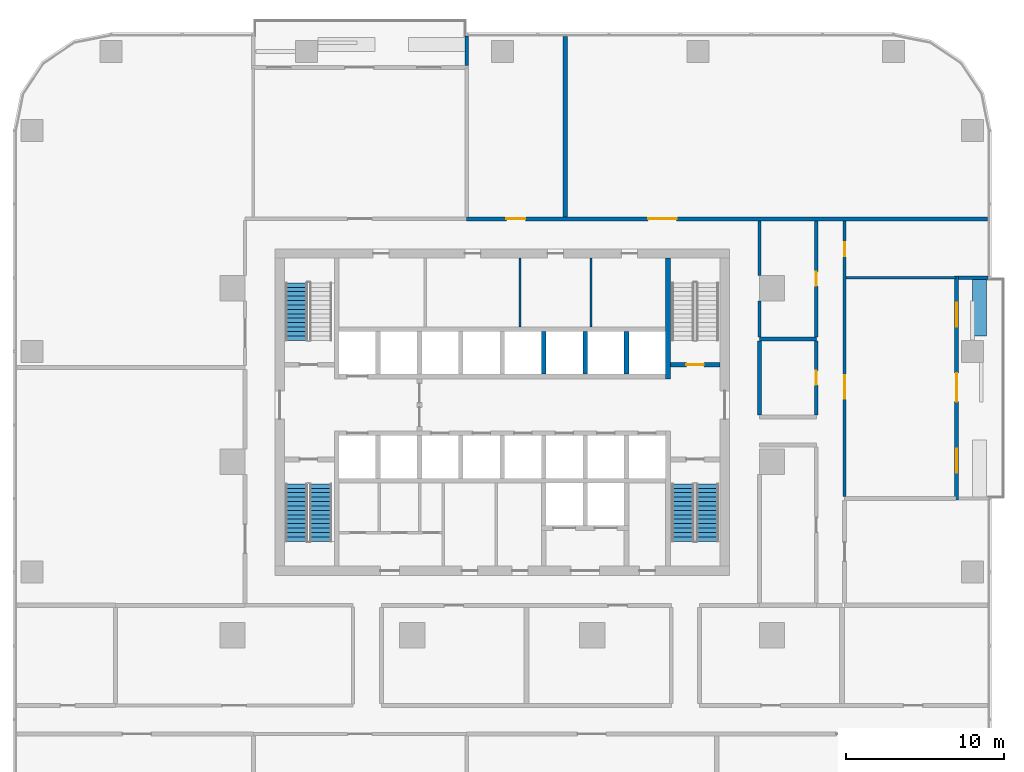
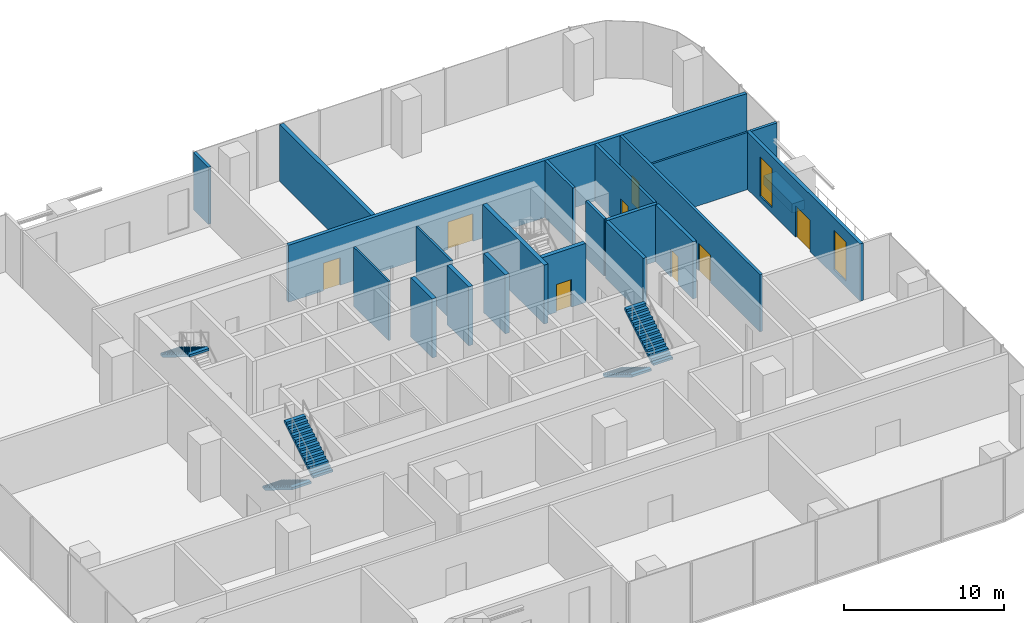
# One storey, part 10 of 15: 21 walls, 8 doors, 5 stair flights, 2 windows, 10 openings, 3 elements without a shape of their own.
"""IFC4 building model written with IfcOpenShell, lengths in metres."""

from ifc_helpers import new_model, si_unit, direction, frame, frame_2d, origin, place, context, subcontext, project, spatial, polyline, rectangle, outline, extrude, material, layer, layer_set, type_object, element, fill, aggregate, save


model = new_model("IFC4")

# Units and contexts
model_context = context("Model", 3, precision=1e-05, world=origin(), true_north=direction((0.0, 1.0)))
body_context = subcontext(model_context, "Body", "Model", "MODEL_VIEW")
ifc_project = project(units=[si_unit("LENGTHUNIT", "METRE"), si_unit("AREAUNIT", "SQUARE_METRE"), si_unit("VOLUMEUNIT", "CUBIC_METRE"), si_unit("PLANEANGLEUNIT", "RADIAN"), si_unit("MASSUNIT", "GRAM", prefix="KILO")], contexts=[model_context])

# Site, building, storey
site_placement = place(None, origin())
site = spatial("IfcSite", under=ifc_project, at=site_placement, CompositionType="ELEMENT")
building_placement = place(site_placement, origin())
building = spatial("IfcBuilding", under=site, at=building_placement, Name="Mopane Tessera Tower", CompositionType="ELEMENT")
storey_placement = place(building_placement, frame((0.0, 0.0, 79.0)))
storey = spatial("IfcBuildingStorey", under=building, at=storey_placement, Name="L15", CompositionType="ELEMENT", Elevation=79.0)

# Walls
ifc_material_1 = material(Name="Fire-rated gypsum board partition")
ifc_layer_1 = layer(ifc_material_1, 0.14990234375)
ifc_layer_set_1 = layer_set([ifc_layer_1], Name="Fire-rated gypsum board partition")
wall_type_1 = type_object("IfcWallType", Name="Core room partition 150 mm", PredefinedType="PARTITIONING", material=ifc_layer_set_1)
for number, where, z_axis, x_axis, name in (
    (1, (1.125, 8.550048828125, 0.0), (0.0, 0.0, 1.0), (0.0, 1.0, 0.0), "L15 Room partition"),
    (2, (5.625, 8.550048828125, 0.0), (0.0, 0.0, 1.0), (0.0, 1.0, 0.0), "L15 Room partition"),
):
    element("IfcWall", number, at=place(storey_placement, frame(where, z_axis=z_axis, x_axis=x_axis)), inside=storey, type_object=wall_type_1, Name=name, PredefinedType="PARTITIONING", context=body_context, shape_type="SweptSolid", body=[
        extrude(rectangle(XDim=4.349853515625, YDim=0.14990234375, at=frame_2d((2.1748046875, 0.0))), origin(), (0.0, 0.0, 1.0), 4.5),
    ])
ifc_material_2 = material(Name="Concrete C60/75", Category="concrete")
ifc_layer_2 = layer(ifc_material_2, 0.300048828125)
ifc_layer_set_2 = layer_set([ifc_layer_2], Name="Concrete C60/75")
wall_type_2 = type_object("IfcWallType", Name="Core spine wall 300 mm", PredefinedType="SHEAR", material=ifc_layer_set_2)
wall_1_placement = place(storey_placement, frame((10.5, 5.25, 0.0), z_axis=(0.0, 0.0, 1.0), x_axis=(0.0, 1.0, 0.0)))
element("IfcWall", 3, at=wall_1_placement, inside=storey, type_object=wall_type_2, Name="L15 Core spine wall", PredefinedType="SHEAR", context=body_context, shape_type="SweptSolid", body=[
    extrude(rectangle(XDim=7.64990234375, YDim=0.300048828125, at=frame_2d((3.824951171875, 0.0))), origin(), (0.0, 0.0, 1.0), 4.5),
])
ifc_material_3 = material(Name="Gypsum board on steel studs, two layers each face, mineral wool infill", Category="steel")
ifc_layer_3 = layer(ifc_material_3, 0.199951171875)
ifc_layer_set_3 = layer_set([ifc_layer_3], Name="Gypsum board on steel studs, two layers each face, mineral wool infill")
wall_type_3 = type_object("IfcWallType", Name="Gypsum board corridor wall 200, rated EI 60", PredefinedType="PARTITIONING", material=ifc_layer_set_3)
wall_2_placement = place(storey_placement, frame((16.300048828125, 7.909912109375, 0.0), z_axis=(0.0, 0.0, 1.0), x_axis=(0.0, 1.0, 0.0)))
element("IfcWall", 4, at=wall_2_placement, inside=storey, type_object=wall_type_3, Name="Partition L15:039", PredefinedType="PARTITIONING", context=body_context, shape_type="SweptSolid", body=[
    extrude(rectangle(XDim=2.2900390625, YDim=0.199951171875, at=frame_2d((1.14501953125, 0.0))), origin(), (0.0, 0.0, 1.0), 4.35009765625),
])
wall_3_placement = place(storey_placement, frame((16.300048828125, 11.800048828125, 0.0), z_axis=(0.0, 0.0, 1.0), x_axis=(0.0, 1.0, 0.0)))
element("IfcWall", 5, at=wall_3_placement, inside=storey, type_object=wall_type_3, Name="Partition L15:040", PredefinedType="PARTITIONING", context=body_context, shape_type="SweptSolid", body=[
    extrude(rectangle(XDim=3.474853515625, YDim=0.199951171875, at=frame_2d((1.7373046875, 0.0))), origin(), (0.0, 0.0, 1.0), 4.35009765625),
])

# Wall, opening, door
wall_4_placement = place(storey_placement, frame((19.89990234375, 7.909912109375, 0.0), z_axis=(0.0, 0.0, 1.0), x_axis=(0.0, 1.0, 0.0)))
wall_4 = element("IfcWall", 6, at=wall_4_placement, inside=storey, type_object=wall_type_3, Name="Partition L15:043", PredefinedType="PARTITIONING", context=body_context, shape_type="SweptSolid", body=[
    extrude(rectangle(XDim=7.364990234375, YDim=0.199951171875, at=frame_2d((3.6826171875, 0.0))), origin(), (0.0, 0.0, 1.0), 4.35009765625),
])
opening_1_placement = place(wall_4_placement, frame((3.232421875, 0.0, 0.0)))
opening_1 = element("IfcOpeningElement", 7, at=opening_1_placement, cuts=wall_4, Name="Opening L15-16", PredefinedType="OPENING", context=body_context, shape_type="SweptSolid", body=[
    extrude(rectangle(XDim=0.89990234375, YDim=2.10009765625, at=frame_2d((0.449951171875, 1.050048828125))), frame((0.0, 0.112060546875, 0.0), z_axis=(0.0, -1.0, 0.0), x_axis=(1.0, 0.0, 0.0)), (0.0, 0.0, 1.0), 0.223876953125),
])
ifc_material_4 = material(Name="Timber veneered steel-framed fire door", Category="steel")
door_type_1 = type_object("IfcDoorType", Name="Fire door FD60 900 x 2100", OperationType="SINGLE_SWING_LEFT", PredefinedType="DOOR", material=ifc_material_4)
door_1_placement = place(opening_1_placement, origin())
door_1 = element("IfcDoor", 8, at=door_1_placement, inside=storey, type_object=door_type_1, Name="Door L15-16", ObjectType="D10A", OperationType="SINGLE_SWING_LEFT", OverallHeight=2.10009765625, OverallWidth=0.89990234375, PredefinedType="DOOR", context=body_context, shape_type="SweptSolid", body=[
    extrude(rectangle(XDim=0.89990234375, YDim=2.10009765625, at=frame_2d((0.449951171875, 1.050048828125))), frame((0.0, 0.02490234375, 0.0), z_axis=(0.0, -1.0, 0.0), x_axis=(1.0, 0.0, 0.0)), (0.0, 0.0, 1.0), 0.050048828125),
])
fill(opening_1, door_1)

# Wall, openings, doors
wall_5_placement = place(storey_placement, frame((21.699951171875, -2.2099609375, 0.0), z_axis=(0.0, 0.0, 1.0), x_axis=(0.0, 1.0, 0.0)))
wall_5 = element("IfcWall", 9, at=wall_5_placement, inside=storey, type_object=wall_type_3, Name="Partition L15:047", PredefinedType="PARTITIONING", context=body_context, shape_type="SweptSolid", body=[
    extrude(rectangle(XDim=17.48486328125, YDim=0.199951171875, at=frame_2d((8.742431640625, 0.0))), origin(), (0.0, 0.0, 1.0), 4.35009765625),
])
opening_2_placement = place(wall_5_placement, frame((15.22998046875, 0.0, 0.0)))
opening_2 = element("IfcOpeningElement", 10, at=opening_2_placement, cuts=wall_5, Name="Opening L15-04", PredefinedType="OPENING", context=body_context, shape_type="SweptSolid", body=[
    extrude(rectangle(XDim=0.89990234375, YDim=2.10009765625, at=frame_2d((0.449951171875, 1.050048828125))), frame((0.0, 0.112060546875, 0.0), z_axis=(0.0, -1.0, 0.0), x_axis=(1.0, 0.0, 0.0)), (0.0, 0.0, 1.0), 0.223876953125),
])
opening_3_placement = place(wall_5_placement, frame((6.1875, 0.0, 0.0)))
opening_3 = element("IfcOpeningElement", 11, at=opening_3_placement, cuts=wall_5, Name="Opening L15-21", PredefinedType="OPENING", context=body_context, shape_type="SweptSolid", body=[
    extrude(rectangle(XDim=1.5, YDim=2.10009765625, at=frame_2d((0.75, 1.050048828125))), frame((0.0, 0.112060546875, 0.0), z_axis=(0.0, -1.0, 0.0), x_axis=(1.0, 0.0, 0.0)), (0.0, 0.0, 1.0), 0.223876953125),
])
door_2_placement = place(opening_2_placement, origin())
door_2 = element("IfcDoor", 12, at=door_2_placement, inside=storey, type_object=door_type_1, Name="Door L15-04", ObjectType="D10A", OperationType="SINGLE_SWING_RIGHT", OverallHeight=2.10009765625, OverallWidth=0.89990234375, PredefinedType="DOOR", context=body_context, shape_type="SweptSolid", body=[
    extrude(rectangle(XDim=0.89990234375, YDim=2.10009765625, at=frame_2d((0.449951171875, 1.050048828125))), frame((0.0, 0.02490234375, 0.0), z_axis=(0.0, -1.0, 0.0), x_axis=(1.0, 0.0, 0.0)), (0.0, 0.0, 1.0), 0.050048828125),
])
fill(opening_2, door_2)
ifc_material_5 = material(Name="Timber veneered steel-framed fire door", Category="steel")
door_type_2 = type_object("IfcDoorType", Name="Fire door pair FD60 1500 x 2100", OperationType="DOUBLE_DOOR_SINGLE_SWING", PredefinedType="DOOR", material=ifc_material_5)
door_3_placement = place(opening_3_placement, origin())
door_3 = element("IfcDoor", 13, at=door_3_placement, inside=storey, type_object=door_type_2, Name="Door L15-21", ObjectType="D17A", OperationType="DOUBLE_DOOR_SINGLE_SWING", OverallHeight=2.10009765625, OverallWidth=1.5, PredefinedType="DOOR", context=body_context, shape_type="SweptSolid", body=[
    extrude(rectangle(XDim=1.5, YDim=2.10009765625, at=frame_2d((0.75, 1.050048828125))), frame((0.0, 0.02490234375, 0.0), z_axis=(0.0, -1.0, 0.0), x_axis=(1.0, 0.0, 0.0)), (0.0, 0.0, 1.0), 0.050048828125),
])
fill(opening_3, door_3)

# Wall
ifc_material_6 = material(Name="Gypsum board on steel studs, mineral wool infill", Category="steel")
ifc_layer_4 = layer(ifc_material_6, 0.14990234375)
ifc_layer_set_4 = layer_set([ifc_layer_4], Name="Gypsum board on steel studs, mineral wool infill")
wall_type_4 = type_object("IfcWallType", Name="Gypsum board partition 150, rated EI 60", PredefinedType="PARTITIONING", material=ifc_layer_set_4)
wall_6_placement = place(storey_placement, frame((21.800048828125, 11.6650390625, 0.0), z_axis=(0.0, 0.0, 1.0), x_axis=(1.0, 0.0, 0.0)))
element("IfcWall", 14, at=wall_6_placement, inside=storey, type_object=wall_type_4, Name="Partition L15:020", PredefinedType="PARTITIONING", context=body_context, shape_type="SweptSolid", body=[
    extrude(rectangle(XDim=6.949951171875, YDim=0.14990234375, at=frame_2d((3.47509765625, 0.0))), origin(), (0.0, 0.0, 1.0), 4.35009765625),
])

# Wall, opening, door
ifc_material_7 = material(Name="Concrete C50/60", Category="concrete")
ifc_layer_5 = layer(ifc_material_7, 0.300048828125)
ifc_layer_set_5 = layer_set([ifc_layer_5], Name="Concrete C50/60")
wall_type_5 = type_object("IfcWallType", Name="Lift and stair shaft wall 300 mm", PredefinedType="SOLIDWALL", material=ifc_layer_set_5)
wall_7_placement = place(storey_placement, frame((10.64990234375, 6.14990234375, 0.0), z_axis=(0.0, 0.0, 1.0), x_axis=(1.0, 0.0, 0.0)))
wall_7 = element("IfcWall", 15, at=wall_7_placement, inside=storey, type_object=wall_type_5, Name="L15 Stair enclosure wall", PredefinedType="SOLIDWALL", context=body_context, shape_type="SweptSolid", body=[
    extrude(rectangle(XDim=3.150146484375, YDim=0.300048828125, at=frame_2d((1.5751953125, 0.0))), origin(), (0.0, 0.0, 1.0), 4.5),
])
opening_4_placement = place(wall_7_placement, frame((1.02490234375, 0.0, 0.0)))
opening_4 = element("IfcOpeningElement", 16, at=opening_4_placement, cuts=wall_7, Name="Opening SD1", PredefinedType="OPENING", context=body_context, shape_type="SweptSolid", body=[
    extrude(rectangle(XDim=1.10009765625, YDim=2.10009765625, at=frame_2d((0.550048828125, 1.050048828125))), frame((0.0, 0.162109375, 0.0), z_axis=(0.0, -1.0, 0.0), x_axis=(1.0, 0.0, 0.0)), (0.0, 0.0, 1.0), 0.323974609375),
])
ifc_material_8 = material(Name="Steel fire door", Category="steel")
door_type_3 = type_object("IfcDoorType", Name="Stair fire door 1100 x 2100", OperationType="SINGLE_SWING_LEFT", PredefinedType="DOOR", material=ifc_material_8)
door_4_placement = place(opening_4_placement, origin())
door_4 = element("IfcDoor", 17, at=door_4_placement, inside=storey, type_object=door_type_3, Name="L15 Stair door ST4", OperationType="SINGLE_SWING_RIGHT", OverallHeight=2.10009765625, OverallWidth=1.10009765625, PredefinedType="DOOR", context=body_context, shape_type="SweptSolid", body=[
    extrude(rectangle(XDim=1.10009765625, YDim=2.10009765625, at=frame_2d((0.550048828125, 1.050048828125))), frame((0.0, 0.02490234375, 0.0), z_axis=(0.0, -1.0, 0.0), x_axis=(1.0, 0.0, 0.0)), (0.0, 0.0, 1.0), 0.050048828125),
])
fill(opening_4, door_4)

# Walls
for number, where, z_axis, x_axis, name in (
    (18, (2.625, 5.550048828125, 0.0), (0.0, 0.0, 1.0), (0.0, 1.0, 0.0), "L15 Lift shaft wall"),
    (19, (5.25, 5.550048828125, 0.0), (0.0, 0.0, 1.0), (0.0, 1.0, 0.0), "L15 Lift shaft wall"),
    (20, (7.875, 5.550048828125, 0.0), (0.0, 0.0, 1.0), (0.0, 1.0, 0.0), "L15 Lift shaft wall"),
):
    element("IfcWall", number, at=place(storey_placement, frame(where, z_axis=z_axis, x_axis=x_axis)), inside=storey, type_object=wall_type_5, Name=name, PredefinedType="SOLIDWALL", context=body_context, shape_type="SweptSolid", body=[
        extrude(rectangle(XDim=2.699951171875, YDim=0.300048828125, at=frame_2d((1.35009765625, 0.0))), origin(), (0.0, 0.0, 1.0), 4.5),
    ])
ifc_material_9 = material(Name="Reinforced concrete C32/40 with waterproofing", Category="concrete")
ifc_layer_6 = layer(ifc_material_9, 0.89990234375)
ifc_layer_set_6 = layer_set([ifc_layer_6], Name="Reinforced concrete C32/40 with waterproofing")
wall_type_6 = type_object("IfcWallType", Name="Planter trough 3600 x 900", PredefinedType="STANDARD", material=ifc_layer_set_6)
wall_8_placement = place(storey_placement, frame((30.25, 7.966552734375, 0.0), z_axis=(0.0, 0.0, 1.0), x_axis=(0.0, 1.0, 0.0)))
element("IfcWall", 21, at=wall_8_placement, inside=storey, type_object=wall_type_6, Name="e:nw:L15:N1:pl1", PredefinedType="STANDARD", context=body_context, shape_type="SweptSolid", body=[
    extrude(rectangle(XDim=3.60009765625, YDim=0.89990234375, at=frame_2d((1.800048828125, 0.0))), origin(), (0.0, 0.0, 1.0), 0.699951171875),
])
ifc_material_10 = material(Name="Plastered concrete blockwork C20/25", Category="masonry")
ifc_layer_7 = layer(ifc_material_10, 0.300048828125)
ifc_layer_set_7 = layer_set([ifc_layer_7], Name="Plastered concrete blockwork C20/25")
wall_type_7 = type_object("IfcWallType", Name="Plastered blockwork separation wall 300, rated EI 120", PredefinedType="PARTITIONING", material=ifc_layer_set_7)
wall_9_placement = place(storey_placement, frame((3.985107421875, 15.52490234375, 0.0), z_axis=(0.0, 0.0, 1.0), x_axis=(0.0, 1.0, 0.0)))
element("IfcWall", 22, at=wall_9_placement, inside=storey, type_object=wall_type_7, Name="Partition L15:035", PredefinedType="PARTITIONING", context=body_context, shape_type="SweptSolid", body=[
    extrude(rectangle(XDim=11.425048828125, YDim=0.300048828125, at=frame_2d((5.71240234375, 0.0))), origin(), (0.0, 0.0, 1.0), 4.35009765625),
])
ifc_material_11 = material(Name="Plastered concrete blockwork C20/25", Category="masonry")
ifc_layer_8 = layer(ifc_material_11, 0.25)
ifc_layer_set_8 = layer_set([ifc_layer_8], Name="Plastered concrete blockwork C20/25")
wall_type_8 = type_object("IfcWallType", Name="Plastered blockwork wall 250, rated EI 120", PredefinedType="PARTITIONING", material=ifc_layer_set_8)
wall_10_placement = place(storey_placement, frame((16.300048828125, 7.784912109375, 0.0), z_axis=(0.0, 0.0, 1.0), x_axis=(1.0, 0.0, 0.0)))
element("IfcWall", 23, at=wall_10_placement, inside=storey, type_object=wall_type_8, Name="Partition L15:019", PredefinedType="PARTITIONING", context=body_context, shape_type="SweptSolid", body=[
    extrude(rectangle(XDim=3.599853515625, YDim=0.25, at=frame_2d((1.7998046875, 0.0))), origin(), (0.0, 0.0, 1.0), 4.35009765625),
])

# Wall, openings, doors
wall_11_placement = place(storey_placement, frame((-2.2548828125, 15.39990234375, 0.0), z_axis=(0.0, 0.0, 1.0), x_axis=(1.0, 0.0, 0.0)))
wall_11 = element("IfcWall", 24, at=wall_11_placement, inside=storey, type_object=wall_type_8, Name="Partition L15:022", PredefinedType="PARTITIONING", context=body_context, shape_type="SweptSolid", body=[
    extrude(rectangle(XDim=33.0048828125, YDim=0.25, at=frame_2d((16.50244140625, 0.0))), origin(), (0.0, 0.0, 1.0), 4.35009765625),
])
opening_5_placement = place(wall_11_placement, frame((11.49755859375, 0.0, 0.0)))
opening_5 = element("IfcOpeningElement", 25, at=opening_5_placement, cuts=wall_11, Name="Opening L15-14", PredefinedType="OPENING", context=body_context, shape_type="SweptSolid", body=[
    extrude(rectangle(XDim=1.800048828125, YDim=2.10009765625, at=frame_2d((0.89990234375, 1.050048828125))), frame((0.0, 0.136962890625, 0.0), z_axis=(0.0, -1.0, 0.0), x_axis=(1.0, 0.0, 0.0)), (0.0, 0.0, 1.0), 0.27392578125),
])
opening_6_placement = place(wall_11_placement, frame((2.52001953125, 0.0, 0.0)))
opening_6 = element("IfcOpeningElement", 26, at=opening_6_placement, cuts=wall_11, Name="Opening L15-17", PredefinedType="OPENING", context=body_context, shape_type="SweptSolid", body=[
    extrude(rectangle(XDim=1.199951171875, YDim=2.10009765625, at=frame_2d((0.60009765625, 1.050048828125))), frame((0.0, 0.136962890625, 0.0), z_axis=(0.0, -1.0, 0.0), x_axis=(1.0, 0.0, 0.0)), (0.0, 0.0, 1.0), 0.27392578125),
])
ifc_material_12 = material(Name="Timber veneered steel-framed fire door", Category="steel")
door_type_4 = type_object("IfcDoorType", Name="Fire door FD120 1200 x 2100", OperationType="SINGLE_SWING_LEFT", PredefinedType="DOOR", material=ifc_material_12)
door_5_placement = place(opening_6_placement, origin())
door_5 = element("IfcDoor", 27, at=door_5_placement, inside=storey, type_object=door_type_4, Name="Door L15-17", ObjectType="D15B", OperationType="SINGLE_SWING_LEFT", OverallHeight=2.10009765625, OverallWidth=1.199951171875, PredefinedType="DOOR", context=body_context, shape_type="SweptSolid", body=[
    extrude(rectangle(XDim=1.199951171875, YDim=2.10009765625, at=frame_2d((0.60009765625, 1.050048828125))), frame((0.0, 0.02490234375, 0.0), z_axis=(0.0, -1.0, 0.0), x_axis=(1.0, 0.0, 0.0)), (0.0, 0.0, 1.0), 0.050048828125),
])
fill(opening_6, door_5)
ifc_material_13 = material(Name="Timber veneered steel-framed fire door", Category="steel")
door_type_5 = type_object("IfcDoorType", Name="Fire door pair FD120 1800 x 2100", OperationType="DOUBLE_DOOR_SINGLE_SWING", PredefinedType="DOOR", material=ifc_material_13)
door_6_placement = place(opening_5_placement, origin())
door_6 = element("IfcDoor", 28, at=door_6_placement, inside=storey, type_object=door_type_5, Name="Door L15-14", ObjectType="D20B", OperationType="DOUBLE_DOOR_SINGLE_SWING", OverallHeight=2.10009765625, OverallWidth=1.800048828125, PredefinedType="DOOR", context=body_context, shape_type="SweptSolid", body=[
    extrude(rectangle(XDim=1.800048828125, YDim=2.10009765625, at=frame_2d((0.89990234375, 1.050048828125))), frame((0.0, 0.02490234375, 0.0), z_axis=(0.0, -1.0, 0.0), x_axis=(1.0, 0.0, 0.0)), (0.0, 0.0, 1.0), 0.050048828125),
])
fill(opening_5, door_6)

# Wall
wall_12_placement = place(storey_placement, frame((16.300048828125, 2.97509765625, 0.0), z_axis=(0.0, 0.0, 1.0), x_axis=(0.0, 1.0, 0.0)))
element("IfcWall", 29, at=wall_12_placement, inside=storey, type_object=wall_type_8, Name="Partition L15:042", PredefinedType="PARTITIONING", context=body_context, shape_type="SweptSolid", body=[
    extrude(rectangle(XDim=4.684814453125, YDim=0.25, at=frame_2d((2.34228515625, 0.0))), origin(), (0.0, 0.0, 1.0), 4.35009765625),
])

# Wall, opening, door
wall_13_placement = place(storey_placement, frame((19.89990234375, 2.97509765625, 0.0), z_axis=(0.0, 0.0, 1.0), x_axis=(0.0, 1.0, 0.0)))
wall_13 = element("IfcWall", 30, at=wall_13_placement, inside=storey, type_object=wall_type_8, Name="Partition L15:045", PredefinedType="PARTITIONING", context=body_context, shape_type="SweptSolid", body=[
    extrude(rectangle(XDim=4.684814453125, YDim=0.25, at=frame_2d((2.34228515625, 0.0))), origin(), (0.0, 0.0, 1.0), 4.35009765625),
])
opening_7_placement = place(wall_13_placement, frame((1.892578125, 0.0, 0.0)))
opening_7 = element("IfcOpeningElement", 31, at=opening_7_placement, cuts=wall_13, Name="Opening L15-09", PredefinedType="OPENING", context=body_context, shape_type="SweptSolid", body=[
    extrude(rectangle(XDim=0.89990234375, YDim=2.10009765625, at=frame_2d((0.449951171875, 1.050048828125))), frame((0.0, 0.136962890625, 0.0), z_axis=(0.0, -1.0, 0.0), x_axis=(1.0, 0.0, 0.0)), (0.0, 0.0, 1.0), 0.27392578125),
])
ifc_material_14 = material(Name="Timber veneered steel-framed fire door", Category="steel")
door_type_6 = type_object("IfcDoorType", Name="Fire door FD120 900 x 2100", OperationType="SINGLE_SWING_LEFT", PredefinedType="DOOR", material=ifc_material_14)
door_7_placement = place(opening_7_placement, origin())
door_7 = element("IfcDoor", 32, at=door_7_placement, inside=storey, type_object=door_type_6, Name="Door L15-09", ObjectType="D10B", OperationType="SINGLE_SWING_LEFT", OverallHeight=2.10009765625, OverallWidth=0.89990234375, PredefinedType="DOOR", context=body_context, shape_type="SweptSolid", body=[
    extrude(rectangle(XDim=0.89990234375, YDim=2.10009765625, at=frame_2d((0.449951171875, 1.050048828125))), frame((0.0, 0.02490234375, 0.0), z_axis=(0.0, -1.0, 0.0), x_axis=(1.0, 0.0, 0.0)), (0.0, 0.0, 1.0), 0.050048828125),
])
fill(opening_7, door_7)

# Walls
ifc_material_15 = material(Name="Blockwork with glazed tile facing", Category="masonry")
ifc_layer_9 = layer(ifc_material_15, 0.199951171875)
ifc_layer_set_9 = layer_set([ifc_layer_9], Name="Blockwork with glazed tile facing")
wall_type_9 = type_object("IfcWallType", Name="Terrace cheek wall 200", PredefinedType="STANDARD", material=ifc_layer_set_9)
for number, where, z_axis, x_axis, name in (
    (33, (30.800048828125, 11.666748046875, 0.0), (0.0, 0.0, 1.0), (-1.0, 0.0, 0.0), "e:nw:L15:N1:cheekb"),
    (34, (-2.254638671875, 27.0, 0.0), (0.0, 0.0, 1.0), (0.0, -1.0, 0.0), "e:nw:L15:N2:cheeka"),
):
    element("IfcWall", number, at=place(storey_placement, frame(where, z_axis=z_axis, x_axis=x_axis)), inside=storey, type_object=wall_type_9, Name=name, PredefinedType="STANDARD", context=body_context, shape_type="SweptSolid", body=[
        extrude(rectangle(XDim=1.875, YDim=0.199951171875, at=frame_2d((0.9375, 0.0))), origin(), (0.0, 0.0, 1.0), 4.35009765625),
    ])

# Wall, openings, windows, door
ifc_material_16 = material(Name="Blockwork with ochre glazed tile facing", Category="masonry")
ifc_layer_10 = layer(ifc_material_16, 0.25)
ifc_layer_set_10 = layer_set([ifc_layer_10], Name="Blockwork with ochre glazed tile facing")
wall_type_10 = type_object("IfcWallType", Name="Tile-clad external wall 250, ochre", PredefinedType="STANDARD", material=ifc_layer_set_10)
wall_14_placement = place(storey_placement, frame((28.800048828125, -2.433349609375, 0.0), z_axis=(0.0, 0.0, 1.0), x_axis=(0.0, 1.0, 0.0)))
wall_14 = element("IfcWall", 35, at=wall_14_placement, inside=storey, type_object=wall_type_10, Name="e:nw:L15:N1:back", PredefinedType="STANDARD", context=body_context, shape_type="SweptSolid", body=[
    extrude(rectangle(XDim=14.199951171875, YDim=0.25, at=frame_2d((7.10009765625, 0.0))), origin(), (0.0, 0.0, 1.0), 4.35009765625),
])
opening_8_placement = place(wall_14_placement, frame((1.75, 0.0, 0.449951171875)))
opening_8 = element("IfcOpeningElement", 36, at=opening_8_placement, cuts=wall_14, Name="Opening NW151A", PredefinedType="OPENING", context=body_context, shape_type="SweptSolid", body=[
    extrude(rectangle(XDim=1.5, YDim=3.0, at=frame_2d((0.75, 1.5))), frame((0.0, 0.136962890625, 0.0), z_axis=(0.0, -1.0, 0.0), x_axis=(1.0, 0.0, 0.0)), (0.0, 0.0, 1.0), 0.27392578125),
])
opening_9_placement = place(wall_14_placement, frame((6.25, 0.0, 0.0)))
opening_9 = element("IfcOpeningElement", 37, at=opening_9_placement, cuts=wall_14, Name="Opening ND151", PredefinedType="OPENING", context=body_context, shape_type="SweptSolid", body=[
    extrude(rectangle(XDim=1.800048828125, YDim=2.39990234375, at=frame_2d((0.89990234375, 1.199951171875))), frame((0.0, 0.136962890625, 0.0), z_axis=(0.0, -1.0, 0.0), x_axis=(1.0, 0.0, 0.0)), (0.0, 0.0, 1.0), 0.27392578125),
])
opening_10_placement = place(wall_14_placement, frame((11.0, 0.0, 0.449951171875)))
opening_10 = element("IfcOpeningElement", 38, at=opening_10_placement, cuts=wall_14, Name="Opening NW151B", PredefinedType="OPENING", context=body_context, shape_type="SweptSolid", body=[
    extrude(rectangle(XDim=1.5, YDim=3.0, at=frame_2d((0.75, 1.5))), frame((0.0, 0.136962890625, 0.0), z_axis=(0.0, -1.0, 0.0), x_axis=(1.0, 0.0, 0.0)), (0.0, 0.0, 1.0), 0.27392578125),
])
ifc_material_17 = material(Name="Clear laminated glass", Category="glass")
window_type = type_object("IfcWindowType", Name="Fixed window 1500 x 3000", PartitioningType="SINGLE_PANEL", PredefinedType="WINDOW", material=ifc_material_17)
window_1_placement = place(opening_8_placement, origin())
window_1 = element("IfcWindow", 39, at=window_1_placement, inside=storey, type_object=window_type, Name="e:nw:L15:N1:win0", OverallHeight=3.0, OverallWidth=1.5, PartitioningType="SINGLE_PANEL", PredefinedType="WINDOW", context=body_context, shape_type="SweptSolid", body=[
    extrude(rectangle(XDim=1.5, YDim=3.0, at=frame_2d((0.75, 1.5))), frame((0.0, 0.030029296875, 0.0), z_axis=(0.0, -1.0, 0.0), x_axis=(1.0, 0.0, 0.0)), (0.0, 0.0, 1.0), 0.06005859375),
])
fill(opening_8, window_1)
window_2_placement = place(opening_10_placement, origin())
window_2 = element("IfcWindow", 40, at=window_2_placement, inside=storey, type_object=window_type, Name="e:nw:L15:N1:win2", OverallHeight=3.0, OverallWidth=1.5, PartitioningType="SINGLE_PANEL", PredefinedType="WINDOW", context=body_context, shape_type="SweptSolid", body=[
    extrude(rectangle(XDim=1.5, YDim=3.0, at=frame_2d((0.75, 1.5))), frame((0.0, 0.030029296875, 0.0), z_axis=(0.0, -1.0, 0.0), x_axis=(1.0, 0.0, 0.0)), (0.0, 0.0, 1.0), 0.06005859375),
])
fill(opening_10, window_2)
ifc_material_18 = material(Name="Aluminium and clear glass", Category="aluminium")
door_type_7 = type_object("IfcDoorType", Name="Terrace double door 1800 x 2400", OperationType="DOUBLE_DOOR_SINGLE_SWING", PredefinedType="DOOR", material=ifc_material_18)
door_8_placement = place(opening_9_placement, origin())
door_8 = element("IfcDoor", 41, at=door_8_placement, inside=storey, type_object=door_type_7, Name="e:nw:L15:N1:door", ObjectType="D1", OperationType="DOUBLE_DOOR_SINGLE_SWING", OverallHeight=2.39990234375, OverallWidth=1.800048828125, PredefinedType="DOOR", context=body_context, shape_type="SweptSolid", body=[
    extrude(rectangle(XDim=1.800048828125, YDim=2.39990234375, at=frame_2d((0.89990234375, 1.199951171875))), frame((0.0, 0.02490234375, 0.0), z_axis=(0.0, -1.0, 0.0), x_axis=(1.0, 0.0, 0.0)), (0.0, 0.0, 1.0), 0.050048828125),
])
fill(opening_9, door_8)

# Stair, stair flights
ifc_material_19 = material(Name="Concrete C50/60", Category="concrete")
stair_type = type_object("IfcStairType", Name="Escape stair 1400 mm, riser 171 mm", PredefinedType="HALF_TURN_STAIR", material=ifc_material_19)
stair_1_placement = place(storey_placement, origin())
stair_1 = element("IfcStair", 42, at=stair_1_placement, inside=storey, type_object=stair_type, Name="L15 Escape stair south-west", PredefinedType="HALF_TURN_STAIR")
ifc_material_20 = material(Name="Concrete C50/60", Category="concrete")
stair_flight_type = type_object("IfcStairFlightType", Name="Escape stair flight 1400 mm", PredefinedType="STRAIGHT", material=ifc_material_20)
stair_flight_1_placement = place(storey_placement, frame((-13.050048828125, -1.39990234375, 0.0), z_axis=(0.0, 0.0, 1.0), x_axis=(0.0, -1.0, 0.0)))
stair_flight_1 = element("IfcStairFlight", 43, at=stair_flight_1_placement, type_object=stair_flight_type, Name="ST1 flight 1", NumberOfRisers=14, NumberOfTreads=13, PredefinedType="STRAIGHT", RiserHeight=0.171428571, TreadLength=0.28, context=body_context, shape_type="SweptSolid", body=[
    extrude(outline(polyline([(0.0, 0.0), (0.0, 0.17138671875), (0.280029296875, 0.17138671875), (0.280029296875, 0.3427734375), (0.56005859375, 0.3427734375), (0.56005859375, 0.514404296875), (0.840087890625, 0.514404296875), (0.840087890625, 0.685791015625), (1.1201171875, 0.685791015625), (1.1201171875, 0.857177734375), (1.39990234375, 0.857177734375), (1.39990234375, 1.028564453125), (1.679931640625, 1.028564453125), (1.679931640625, 1.199951171875), (1.9599609375, 1.199951171875), (1.9599609375, 1.371337890625), (2.239990234375, 1.371337890625), (2.239990234375, 1.54296875), (2.52001953125, 1.54296875), (2.52001953125, 1.71435546875), (2.800048828125, 1.71435546875), (2.800048828125, 1.8857421875), (3.080078125, 1.8857421875), (3.080078125, 2.05712890625), (3.360107421875, 2.05712890625), (3.360107421875, 2.228515625), (3.639892578125, 2.228515625), (3.639892578125, 2.39990234375), (3.639892578125, 2.052734375), (0.287109375, 0.0), (0.0, 0.0)])), frame((0.0, 0.699951171875, 0.0), z_axis=(0.0, -1.0, 0.0), x_axis=(1.0, 0.0, 0.0)), (0.0, 0.0, 1.0), 1.39990234375),
])
stair_flight_2_placement = place(storey_placement, frame((-11.5, -5.0400390625, 2.39990234375), z_axis=(0.0, 0.0, 1.0), x_axis=(0.0, 1.0, 0.0)))
stair_flight_2 = element("IfcStairFlight", 44, at=stair_flight_2_placement, type_object=stair_flight_type, Name="ST1 flight 2", NumberOfRisers=14, NumberOfTreads=13, PredefinedType="STRAIGHT", RiserHeight=0.171428571, TreadLength=0.28, context=body_context, shape_type="SweptSolid", body=[
    extrude(outline(polyline([(0.0, 0.0), (0.0, 0.17138671875), (0.280029296875, 0.17138671875), (0.280029296875, 0.3427734375), (0.56005859375, 0.3427734375), (0.56005859375, 0.514404296875), (0.840087890625, 0.514404296875), (0.840087890625, 0.685791015625), (1.1201171875, 0.685791015625), (1.1201171875, 0.857177734375), (1.39990234375, 0.857177734375), (1.39990234375, 1.028564453125), (1.679931640625, 1.028564453125), (1.679931640625, 1.199951171875), (1.9599609375, 1.199951171875), (1.9599609375, 1.371337890625), (2.239990234375, 1.371337890625), (2.239990234375, 1.54296875), (2.52001953125, 1.54296875), (2.52001953125, 1.71435546875), (2.800048828125, 1.71435546875), (2.800048828125, 1.8857421875), (3.080078125, 1.8857421875), (3.080078125, 2.05712890625), (3.360107421875, 2.05712890625), (3.360107421875, 2.228515625), (3.639892578125, 2.228515625), (3.639892578125, 2.39990234375), (3.639892578125, 2.052734375), (0.287109375, 0.0), (0.0, 0.0)])), frame((0.0, 0.699951171875, 0.0), z_axis=(0.0, -1.0, 0.0), x_axis=(1.0, 0.0, 0.0)), (0.0, 0.0, 1.0), 1.39990234375),
])
aggregate(stair_1, [stair_flight_1, stair_flight_2])

# Stair, stair flight
stair_2_placement = place(storey_placement, origin())
stair_2 = element("IfcStair", 45, at=stair_2_placement, inside=storey, type_object=stair_type, Name="L15 Escape stair north-west", PredefinedType="HALF_TURN_STAIR")
stair_flight_3_placement = place(storey_placement, frame((-13.050048828125, 11.340087890625, 2.39990234375), z_axis=(0.0, 0.0, 1.0), x_axis=(0.0, -1.0, 0.0)))
stair_flight_3 = element("IfcStairFlight", 46, at=stair_flight_3_placement, type_object=stair_flight_type, Name="ST2 flight 2", NumberOfRisers=14, NumberOfTreads=13, PredefinedType="STRAIGHT", RiserHeight=0.171428571, TreadLength=0.28, context=body_context, shape_type="SweptSolid", body=[
    extrude(outline(polyline([(0.0, 0.0), (0.0, 0.17138671875), (0.280029296875, 0.17138671875), (0.280029296875, 0.3427734375), (0.56005859375, 0.3427734375), (0.56005859375, 0.514404296875), (0.840087890625, 0.514404296875), (0.840087890625, 0.685791015625), (1.1201171875, 0.685791015625), (1.1201171875, 0.857177734375), (1.39990234375, 0.857177734375), (1.39990234375, 1.028564453125), (1.679931640625, 1.028564453125), (1.679931640625, 1.199951171875), (1.9599609375, 1.199951171875), (1.9599609375, 1.371337890625), (2.239990234375, 1.371337890625), (2.239990234375, 1.54296875), (2.52001953125, 1.54296875), (2.52001953125, 1.71435546875), (2.800048828125, 1.71435546875), (2.800048828125, 1.8857421875), (3.080078125, 1.8857421875), (3.080078125, 2.05712890625), (3.360107421875, 2.05712890625), (3.360107421875, 2.228515625), (3.639892578125, 2.228515625), (3.639892578125, 2.39990234375), (3.639892578125, 2.052734375), (0.287109375, 0.0), (0.0, 0.0)])), frame((0.0, 0.699951171875, 0.0), z_axis=(0.0, -1.0, 0.0), x_axis=(1.0, 0.0, 0.0)), (0.0, 0.0, 1.0), 1.39990234375),
])
aggregate(stair_2, [stair_flight_3])

# Stair, stair flights
stair_3_placement = place(storey_placement, origin())
stair_3 = element("IfcStair", 47, at=stair_3_placement, inside=storey, type_object=stair_type, Name="L15 Escape stair south-east", PredefinedType="HALF_TURN_STAIR")
stair_flight_4_placement = place(storey_placement, frame((11.449951171875, -1.39990234375, 0.0), z_axis=(0.0, 0.0, 1.0), x_axis=(0.0, -1.0, 0.0)))
stair_flight_4 = element("IfcStairFlight", 48, at=stair_flight_4_placement, type_object=stair_flight_type, Name="ST3 flight 1", NumberOfRisers=14, NumberOfTreads=13, PredefinedType="STRAIGHT", RiserHeight=0.171428571, TreadLength=0.28, context=body_context, shape_type="SweptSolid", body=[
    extrude(outline(polyline([(0.0, 0.0), (0.0, 0.17138671875), (0.280029296875, 0.17138671875), (0.280029296875, 0.3427734375), (0.56005859375, 0.3427734375), (0.56005859375, 0.514404296875), (0.840087890625, 0.514404296875), (0.840087890625, 0.685791015625), (1.1201171875, 0.685791015625), (1.1201171875, 0.857177734375), (1.39990234375, 0.857177734375), (1.39990234375, 1.028564453125), (1.679931640625, 1.028564453125), (1.679931640625, 1.199951171875), (1.9599609375, 1.199951171875), (1.9599609375, 1.371337890625), (2.239990234375, 1.371337890625), (2.239990234375, 1.54296875), (2.52001953125, 1.54296875), (2.52001953125, 1.71435546875), (2.800048828125, 1.71435546875), (2.800048828125, 1.8857421875), (3.080078125, 1.8857421875), (3.080078125, 2.05712890625), (3.360107421875, 2.05712890625), (3.360107421875, 2.228515625), (3.639892578125, 2.228515625), (3.639892578125, 2.39990234375), (3.639892578125, 2.052734375), (0.287109375, 0.0), (0.0, 0.0)])), frame((0.0, 0.699951171875, 0.0), z_axis=(0.0, -1.0, 0.0), x_axis=(1.0, 0.0, 0.0)), (0.0, 0.0, 1.0), 1.39990234375),
])
stair_flight_5_placement = place(storey_placement, frame((13.0, -5.0400390625, 2.39990234375), z_axis=(0.0, 0.0, 1.0), x_axis=(0.0, 1.0, 0.0)))
stair_flight_5 = element("IfcStairFlight", 49, at=stair_flight_5_placement, type_object=stair_flight_type, Name="ST3 flight 2", NumberOfRisers=14, NumberOfTreads=13, PredefinedType="STRAIGHT", RiserHeight=0.171428571, TreadLength=0.28, context=body_context, shape_type="SweptSolid", body=[
    extrude(outline(polyline([(0.0, 0.0), (0.0, 0.17138671875), (0.280029296875, 0.17138671875), (0.280029296875, 0.3427734375), (0.56005859375, 0.3427734375), (0.56005859375, 0.514404296875), (0.840087890625, 0.514404296875), (0.840087890625, 0.685791015625), (1.1201171875, 0.685791015625), (1.1201171875, 0.857177734375), (1.39990234375, 0.857177734375), (1.39990234375, 1.028564453125), (1.679931640625, 1.028564453125), (1.679931640625, 1.199951171875), (1.9599609375, 1.199951171875), (1.9599609375, 1.371337890625), (2.239990234375, 1.371337890625), (2.239990234375, 1.54296875), (2.52001953125, 1.54296875), (2.52001953125, 1.71435546875), (2.800048828125, 1.71435546875), (2.800048828125, 1.8857421875), (3.080078125, 1.8857421875), (3.080078125, 2.05712890625), (3.360107421875, 2.05712890625), (3.360107421875, 2.228515625), (3.639892578125, 2.228515625), (3.639892578125, 2.39990234375), (3.639892578125, 2.052734375), (0.287109375, 0.0), (0.0, 0.0)])), frame((0.0, 0.699951171875, 0.0), z_axis=(0.0, -1.0, 0.0), x_axis=(1.0, 0.0, 0.0)), (0.0, 0.0, 1.0), 1.39990234375),
])
aggregate(stair_3, [stair_flight_4, stair_flight_5])

save(model, "model.ifc")
